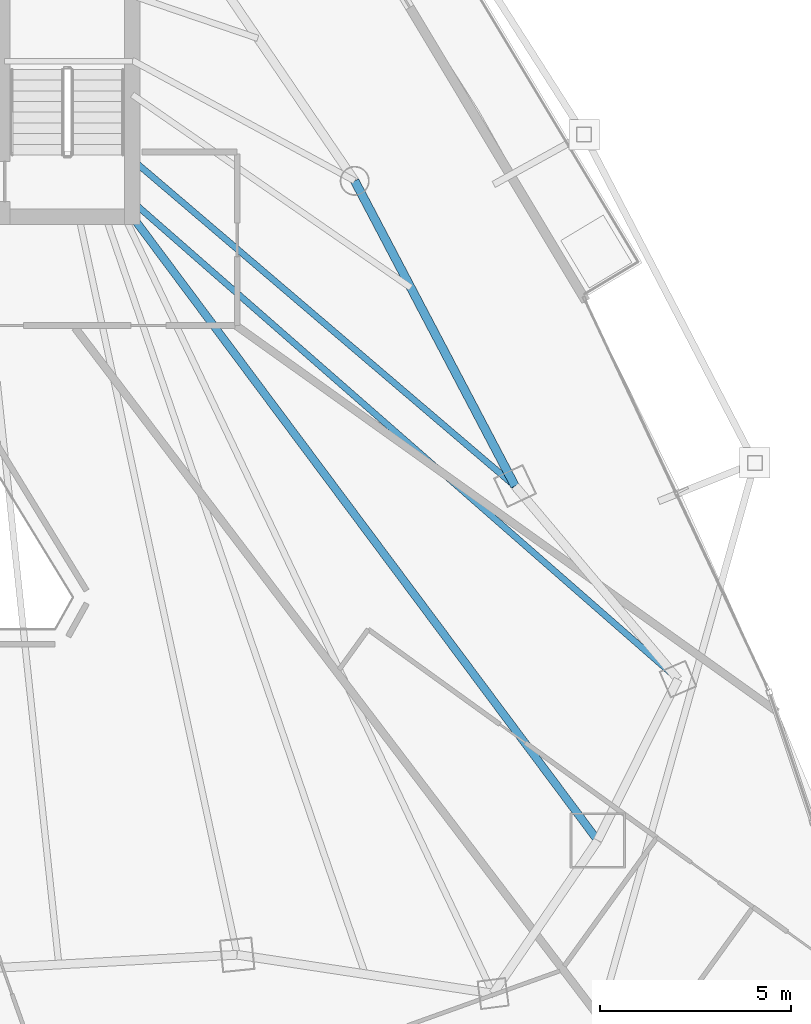
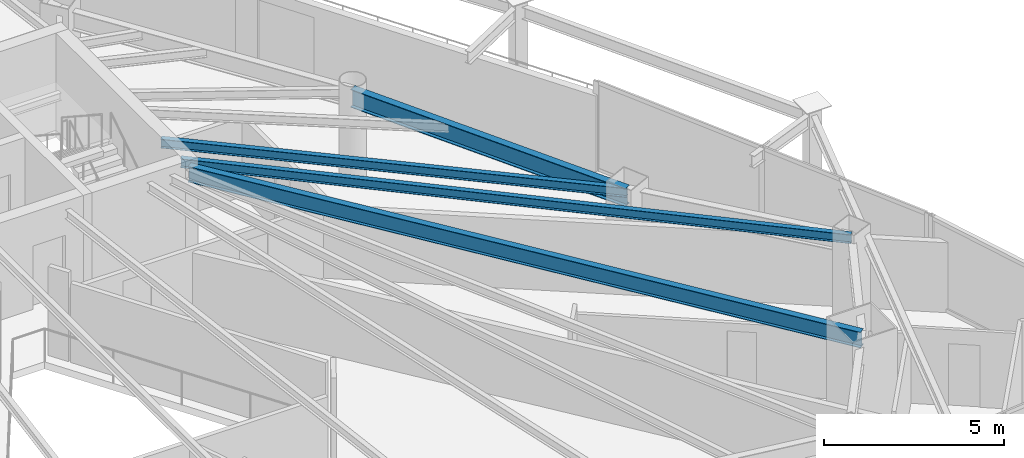
# One storey, part 15 of 30: 4 beams.
"""IFC4 building model written with IfcOpenShell, lengths in metres."""

from ifc_helpers import new_model, si_unit, direction, frame, origin, origin_2d, place, context, subcontext, project, spatial, i_section, extrude, material, material_profile, profile_set, type_object, element, save


model = new_model("IFC4")

# Units and contexts
model_context = context("Model", 3, precision=1e-05, world=origin(), true_north=direction((0.0, 1.0)))
body_context = subcontext(model_context, "Body", "Model", "MODEL_VIEW")
ifc_project = project(units=[si_unit("LENGTHUNIT", "METRE"), si_unit("AREAUNIT", "SQUARE_METRE"), si_unit("VOLUMEUNIT", "CUBIC_METRE"), si_unit("PLANEANGLEUNIT", "RADIAN"), si_unit("MASSUNIT", "GRAM", prefix="KILO")], contexts=[model_context])

# Site, building, storey
site_placement = place(None, origin())
site = spatial("IfcSite", under=ifc_project, at=site_placement, CompositionType="ELEMENT")
building_placement = place(site_placement, origin())
building = spatial("IfcBuilding", under=site, at=building_placement, Name="Orvanel Arch Residences", CompositionType="ELEMENT")
storey_placement = place(building_placement, frame((0.0, 0.0, 143.0)))
storey = spatial("IfcBuildingStorey", under=building, at=storey_placement, Name="L40", CompositionType="ELEMENT", Elevation=143.0)

# Beams
ifc_material = material(Name="Structural steel AS/NZS 3679.1 Grade 300 (300 MPa)", Category="steel")
ifc_material_profile_1 = material_profile(ifc_material, i_section(OverallWidth=0.208984375, OverallDepth=0.532958984375, WebThickness=0.01025390625, FlangeThickness=0.015625, at=origin_2d()), Name="530UB92.4")
ifc_profile_set_1 = profile_set([ifc_material_profile_1], Name="Structural steel AS/NZS 3679.1 Grade 300 (300 MPa)")
beam_type_1 = type_object("IfcBeamType", Name="BG-530UB", PredefinedType="BEAM", material=ifc_profile_set_1)
beam_1_placement = place(storey_placement, frame((39.625, 26.675048828125, 2.75390625), z_axis=(0.597893733742, -0.801575375839, 0.0), x_axis=(0.801575375839, 0.597893733742, 0.0)))
element("IfcBeam", 1, at=beam_1_placement, inside=storey, type_object=beam_type_1, Name="L40 South-East Radial Girder", PredefinedType="BEAM", context=body_context, shape_type="SweptSolid", body=[
    extrude(i_section(OverallWidth=0.208984375, OverallDepth=0.532958984375, WebThickness=0.01025390625, FlangeThickness=0.015625, at=origin_2d()), origin(), (0.0, 0.0, 1.0), 20.36474609375),
])
ifc_material_profile_2 = material_profile(ifc_material, i_section(OverallWidth=0.1650390625, OverallDepth=0.303955078125, WebThickness=0.006103515625, FlangeThickness=0.01025390625, at=origin_2d()), Name="310UB40.4")
ifc_profile_set_2 = profile_set([ifc_material_profile_2], Name="Structural steel AS/NZS 3679.1 Grade 300 (300 MPa)")
beam_type_2 = type_object("IfcBeamType", Name="BJ-310UB", PredefinedType="JOIST", material=ifc_profile_set_2)
beam_2_placement = place(storey_placement, frame((39.60009765625, 28.199951171875, 2.867919921875), z_axis=(0.760821315761, -0.648961420644, 0.0), x_axis=(0.648961420644, 0.760821315761, 0.0)))
element("IfcBeam", 2, at=beam_2_placement, inside=storey, type_object=beam_type_2, Name="L40 E Wing Floor Joist", PredefinedType="JOIST", context=body_context, shape_type="SweptSolid", body=[
    extrude(i_section(OverallWidth=0.1650390625, OverallDepth=0.303955078125, WebThickness=0.006103515625, FlangeThickness=0.01025390625, at=origin_2d()), origin(), (0.0, 0.0, 1.0), 13.18701171875),
])
beam_3_placement = place(storey_placement, frame((39.60009765625, 27.10009765625, 2.867919921875), z_axis=(0.752493154183, -0.658600070534, 0.0), x_axis=(0.658600070534, 0.752493154183, 0.0)))
element("IfcBeam", 3, at=beam_3_placement, inside=storey, type_object=beam_type_2, Name="L40 ME Wing Floor Joist", PredefinedType="JOIST", context=body_context, shape_type="SweptSolid", body=[
    extrude(i_section(OverallWidth=0.1650390625, OverallDepth=0.303955078125, WebThickness=0.006103515625, FlangeThickness=0.01025390625, at=origin_2d()), origin(), (0.0, 0.0, 1.0), 19.010009765625),
])
ifc_material_profile_3 = material_profile(ifc_material, i_section(OverallWidth=0.22900390625, OverallDepth=0.612060546875, WebThickness=0.011962890625, FlangeThickness=0.01953125, at=origin_2d()), Name="610UB125")
ifc_profile_set_3 = profile_set([ifc_material_profile_3], Name="Structural steel AS/NZS 3679.1 Grade 300 (300 MPa)")
beam_type_3 = type_object("IfcBeamType", Name="SP-610UB", PredefinedType="SPANDREL", material=ifc_profile_set_3)
beam_4_placement = place(storey_placement, frame((49.633056640625, 19.64208984375, 2.714111328125), z_axis=(-0.465064762793, 0.885276660942, 0.0), x_axis=(-0.885276660942, -0.465064762793, 0.0)))
element("IfcBeam", 4, at=beam_4_placement, inside=storey, type_object=beam_type_3, Name="L40 Perimeter Spandrel Beam 11", PredefinedType="SPANDREL", context=body_context, shape_type="SweptSolid", body=[
    extrude(i_section(OverallWidth=0.22900390625, OverallDepth=0.612060546875, WebThickness=0.011962890625, FlangeThickness=0.01953125, at=origin_2d()), origin(), (0.0, 0.0, 1.0), 9.03564453125),
])

save(model, "model.ifc")
